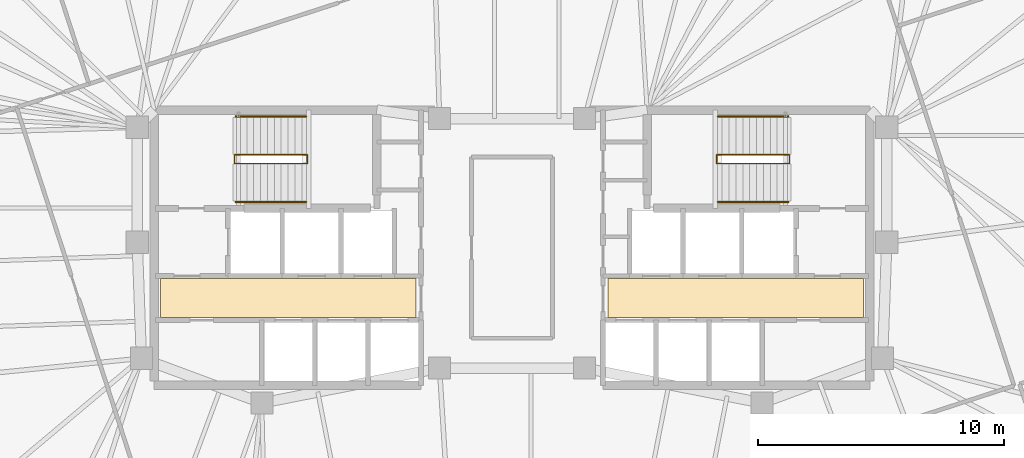
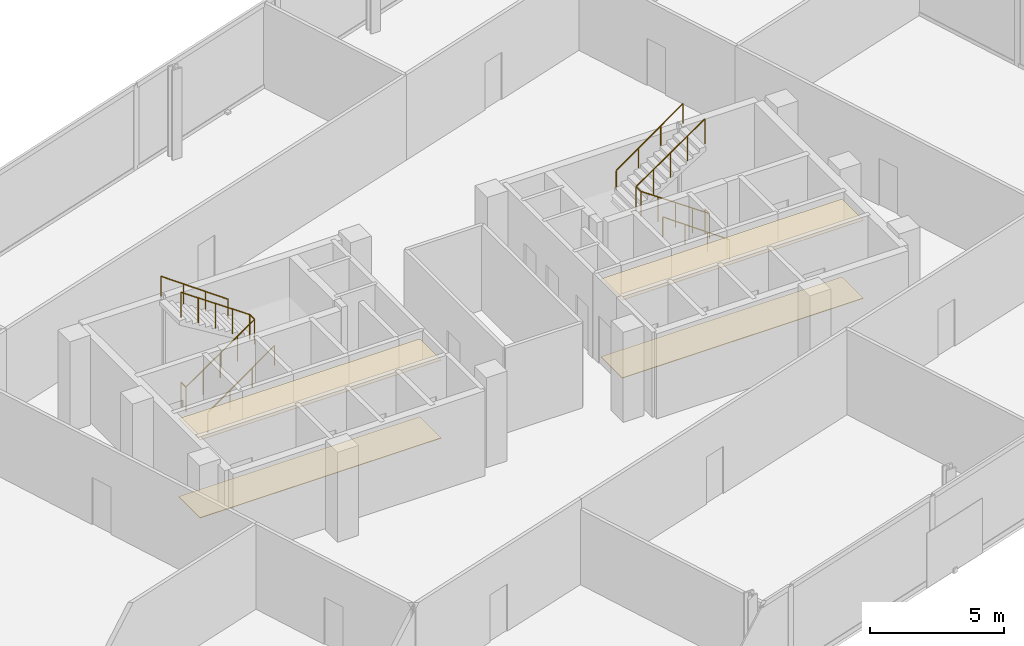
# One storey, part 14 of 14: 6 railings, 4 coverings.
"""IFC4 building model written with IfcOpenShell, lengths in metres."""

from ifc_helpers import new_model, si_unit, direction, frame, origin, origin_2d, place, context, subcontext, project, spatial, polyline, circle, outline, extrude, material, layer, layer_set, type_object, element, save


model = new_model("IFC4")

# Units and contexts
model_context = context("Model", 3, precision=1e-05, world=origin(), true_north=direction((0.0, 1.0)))
body_context = subcontext(model_context, "Body", "Model", "MODEL_VIEW")
ifc_project = project(units=[si_unit("LENGTHUNIT", "METRE"), si_unit("AREAUNIT", "SQUARE_METRE"), si_unit("VOLUMEUNIT", "CUBIC_METRE"), si_unit("PLANEANGLEUNIT", "RADIAN"), si_unit("MASSUNIT", "GRAM", prefix="KILO")], contexts=[model_context])

# Site, building, storey
site_placement = place(None, origin())
site = spatial("IfcSite", under=ifc_project, at=site_placement, CompositionType="ELEMENT")
building_placement = place(site_placement, origin())
building = spatial("IfcBuilding", under=site, at=building_placement, Name="Menara Jurai Vektor", CompositionType="ELEMENT")
storey_placement = place(building_placement, frame((0.0, 0.0, 206.800048828125)))
storey = spatial("IfcBuildingStorey", under=building, at=storey_placement, Name="L54", CompositionType="ELEMENT", Elevation=206.800048828125)

# Coverings
ifc_material_1 = material(Name="Mineral Fibre Acoustic Ceiling Tile", Category="gypsum")
ifc_layer_1 = layer(ifc_material_1, 0.02001953125)
ifc_layer_set_1 = layer_set([ifc_layer_1], Name="Mineral Fibre Acoustic Ceiling Tile")
covering_type_1 = type_object("IfcCoveringType", Name="COV-CEILING-ACOUSTIC", PredefinedType="CEILING", material=ifc_layer_set_1)
covering_1_placement = place(storey_placement, frame((0.0, 0.0, 3.554931640625)))
element("IfcCovering", 1, at=covering_1_placement, inside=storey, type_object=covering_type_1, Name="Acoustic Lift Lobby Ceiling W L54", PredefinedType="CEILING", context=body_context, shape_type="SweptSolid", body=[
    extrude(outline(polyline([(-14.300048828125, -2.85009765625), (-3.89990234375, -2.85009765625), (-3.89990234375, -1.25), (-14.300048828125, -1.25), (-14.300048828125, -2.85009765625)])), origin(), (0.0, 0.0, 1.0), 0.02001953125),
])
covering_2_placement = place(storey_placement, frame((0.0, 0.0, 3.554931640625)))
element("IfcCovering", 2, at=covering_2_placement, inside=storey, type_object=covering_type_1, Name="Acoustic Lift Lobby Ceiling E L54", PredefinedType="CEILING", context=body_context, shape_type="SweptSolid", body=[
    extrude(outline(polyline([(3.89990234375, -2.85009765625), (14.300048828125, -2.85009765625), (14.300048828125, -1.25), (3.89990234375, -1.25), (3.89990234375, -2.85009765625)])), origin(), (0.0, 0.0, 1.0), 0.02001953125),
])
ifc_material_2 = material(Name="Honed Granite Lobby Flooring", Category="masonry")
ifc_layer_2 = layer(ifc_material_2, 0.02490234375)
ifc_layer_set_2 = layer_set([ifc_layer_2], Name="Honed Granite Lobby Flooring")
covering_type_2 = type_object("IfcCoveringType", Name="COV-FLOOR-STONE", PredefinedType="FLOORING", material=ifc_layer_set_2)
covering_3_placement = place(storey_placement, origin())
element("IfcCovering", 3, at=covering_3_placement, inside=storey, type_object=covering_type_2, Name="Granite Lift Lobby Flooring W L54", PredefinedType="FLOORING", context=body_context, shape_type="SweptSolid", body=[
    extrude(outline(polyline([(-14.300048828125, -2.85009765625), (-3.89990234375, -2.85009765625), (-3.89990234375, -1.25), (-14.300048828125, -1.25), (-14.300048828125, -2.85009765625)])), origin(), (0.0, 0.0, 1.0), 0.02490234375),
])
covering_4_placement = place(storey_placement, origin())
element("IfcCovering", 4, at=covering_4_placement, inside=storey, type_object=covering_type_2, Name="Granite Lift Lobby Flooring E L54", PredefinedType="FLOORING", context=body_context, shape_type="SweptSolid", body=[
    extrude(outline(polyline([(3.89990234375, -2.85009765625), (14.300048828125, -2.85009765625), (14.300048828125, -1.25), (3.89990234375, -1.25), (3.89990234375, -2.85009765625)])), origin(), (0.0, 0.0, 1.0), 0.02490234375),
])

# Railings
ifc_material_3 = material(Name="Painted Galvanised Steel Balustrade", Category="steel")
railing_type_1 = type_object("IfcRailingType", Name="RAIL-STAIR-GUARD", PredefinedType="GUARDRAIL", material=ifc_material_3)
railing_1_placement = place(storey_placement, frame((-11.2900390625, 3.780029296875, 0.0)))
element("IfcRailing", 5, at=railing_1_placement, inside=storey, type_object=railing_type_1, Name="ST1 Stair Guardrail 1 L54", PredefinedType="GUARDRAIL", context=body_context, shape_type="SweptSolid", body=[
    extrude(circle(Radius=0.02392578125, at=origin_2d()), frame((0.0, 0.0, 1.1259765625), z_axis=(0.0, -1.0, 0.0), x_axis=(1.0, 0.0, 0.0)), (0.0, 0.0, 1.0), 0.360107421875),
    extrude(circle(Radius=0.02392578125, at=origin_2d()), frame((0.0, -0.360107421875, 1.1259765625), z_axis=(0.822082330295, 0.0, 0.569368634732), x_axis=(0.0, 1.0, 0.0)), (0.0, 0.0, 1.0), 3.6005859375),
    extrude(circle(Radius=0.02392578125, at=origin_2d()), frame((2.9599609375, -0.360107421875, 3.17578125), z_axis=(0.0, 1.0, 0.0), x_axis=(-1.0, 0.0, 0.0)), (0.0, 0.0, 1.0), 0.360107421875),
    extrude(circle(Radius=0.02392578125, at=origin_2d()), frame((2.9599609375, 0.0, 3.17578125), z_axis=(-0.822114068147, 0.0, 0.569322807338), x_axis=(0.0, -1.0, 0.0)), (0.0, 0.0, 1.0), 3.600341796875),
    extrude(circle(Radius=0.02099609375, at=origin_2d()), origin(), (0.0, 0.0, 1.0), 1.101806640625),
    extrude(circle(Radius=0.02099609375, at=origin_2d()), frame((0.0, -0.360107421875, 0.0)), (0.0, 0.0, 1.0), 1.101806640625),
    extrude(circle(Radius=0.02099609375, at=origin_2d()), frame((0.739990234375, -0.360107421875, 0.512451171875)), (0.0, 0.0, 1.0), 1.101806640625),
    extrude(circle(Radius=0.02099609375, at=origin_2d()), frame((1.47998046875, -0.360107421875, 1.02490234375)), (0.0, 0.0, 1.0), 1.101806640625),
    extrude(circle(Radius=0.02099609375, at=origin_2d()), frame((2.219970703125, -0.360107421875, 1.53759765625)), (0.0, 0.0, 1.0), 1.101806640625),
    extrude(circle(Radius=0.02099609375, at=origin_2d()), frame((2.9599609375, -0.360107421875, 2.050048828125)), (0.0, 0.0, 1.0), 1.101806640625),
    extrude(circle(Radius=0.02099609375, at=origin_2d()), frame((2.9599609375, 0.0, 2.050048828125)), (0.0, 0.0, 1.0), 1.101806640625),
    extrude(circle(Radius=0.02099609375, at=origin_2d()), frame((2.219970703125, 0.0, 2.5625)), (0.0, 0.0, 1.0), 1.101806640625),
    extrude(circle(Radius=0.02099609375, at=origin_2d()), frame((1.47998046875, 0.0, 3.074951171875)), (0.0, 0.0, 1.0), 1.101806640625),
    extrude(circle(Radius=0.02099609375, at=origin_2d()), frame((0.739990234375, 0.0, 3.58740234375)), (0.0, 0.0, 1.0), 1.101806640625),
    extrude(circle(Radius=0.02099609375, at=origin_2d()), frame((0.0, 0.0, 4.099853515625)), (0.0, 0.0, 1.0), 1.101806640625),
])
railing_2_placement = place(storey_placement, frame((11.2900390625, 3.780029296875, 0.0)))
element("IfcRailing", 6, at=railing_2_placement, inside=storey, type_object=railing_type_1, Name="ST2 Stair Guardrail 1 L54", PredefinedType="GUARDRAIL", context=body_context, shape_type="SweptSolid", body=[
    extrude(circle(Radius=0.02392578125, at=origin_2d()), frame((0.0, 0.0, 1.1259765625), z_axis=(0.0, -1.0, 0.0), x_axis=(1.0, 0.0, 0.0)), (0.0, 0.0, 1.0), 0.360107421875),
    extrude(circle(Radius=0.02392578125, at=origin_2d()), frame((0.0, -0.360107421875, 1.1259765625), z_axis=(-0.822082330295, 0.0, 0.569368634732), x_axis=(0.0, -1.0, 0.0)), (0.0, 0.0, 1.0), 3.6005859375),
    extrude(circle(Radius=0.02392578125, at=origin_2d()), frame((-2.9599609375, -0.360107421875, 3.17578125), z_axis=(0.0, 1.0, 0.0), x_axis=(-1.0, 0.0, 0.0)), (0.0, 0.0, 1.0), 0.360107421875),
    extrude(circle(Radius=0.02392578125, at=origin_2d()), frame((-2.9599609375, 0.0, 3.17578125), z_axis=(0.822114068147, 0.0, 0.569322807338), x_axis=(0.0, 1.0, 0.0)), (0.0, 0.0, 1.0), 3.600341796875),
    extrude(circle(Radius=0.02099609375, at=origin_2d()), origin(), (0.0, 0.0, 1.0), 1.101806640625),
    extrude(circle(Radius=0.02099609375, at=origin_2d()), frame((0.0, -0.360107421875, 0.0)), (0.0, 0.0, 1.0), 1.101806640625),
    extrude(circle(Radius=0.02099609375, at=origin_2d()), frame((-0.739990234375, -0.360107421875, 0.512451171875)), (0.0, 0.0, 1.0), 1.101806640625),
    extrude(circle(Radius=0.02099609375, at=origin_2d()), frame((-1.47998046875, -0.360107421875, 1.02490234375)), (0.0, 0.0, 1.0), 1.101806640625),
    extrude(circle(Radius=0.02099609375, at=origin_2d()), frame((-2.219970703125, -0.360107421875, 1.53759765625)), (0.0, 0.0, 1.0), 1.101806640625),
    extrude(circle(Radius=0.02099609375, at=origin_2d()), frame((-2.9599609375, -0.360107421875, 2.050048828125)), (0.0, 0.0, 1.0), 1.101806640625),
    extrude(circle(Radius=0.02099609375, at=origin_2d()), frame((-2.9599609375, 0.0, 2.050048828125)), (0.0, 0.0, 1.0), 1.101806640625),
    extrude(circle(Radius=0.02099609375, at=origin_2d()), frame((-2.219970703125, 0.0, 2.5625)), (0.0, 0.0, 1.0), 1.101806640625),
    extrude(circle(Radius=0.02099609375, at=origin_2d()), frame((-1.47998046875, 0.0, 3.074951171875)), (0.0, 0.0, 1.0), 1.101806640625),
    extrude(circle(Radius=0.02099609375, at=origin_2d()), frame((-0.739990234375, 0.0, 3.58740234375)), (0.0, 0.0, 1.0), 1.101806640625),
    extrude(circle(Radius=0.02099609375, at=origin_2d()), frame((0.0, 0.0, 4.099853515625)), (0.0, 0.0, 1.0), 1.101806640625),
])
ifc_material_4 = material(Name="Brushed Stainless Steel Handrail", Category="steel")
railing_type_2 = type_object("IfcRailingType", Name="RAIL-STAIR-HAND", PredefinedType="HANDRAIL", material=ifc_material_4)
railing_3_placement = place(storey_placement, frame((-11.25, 1.860107421875, 0.0)))
element("IfcRailing", 7, at=railing_3_placement, inside=storey, type_object=railing_type_2, Name="ST1 Stair Handrail 1 L54", PredefinedType="HANDRAIL", context=body_context, shape_type="SweptSolid", body=[
    extrude(circle(Radius=0.02392578125, at=origin_2d()), frame((0.0, 0.0, 0.89599609375), z_axis=(0.814670365599, 0.0, 0.579924301452), x_axis=(0.0, 1.0, 0.0)), (0.0, 0.0, 1.0), 3.534912109375),
    extrude(circle(Radius=0.02099609375, at=origin_2d()), origin(), (0.0, 0.0, 1.0), 0.871826171875),
    extrude(circle(Radius=0.02099609375, at=origin_2d()), frame((0.9599609375, 0.0, 0.683349609375)), (0.0, 0.0, 1.0), 0.871826171875),
    extrude(circle(Radius=0.02099609375, at=origin_2d()), frame((1.919921875, 0.0, 1.36669921875)), (0.0, 0.0, 1.0), 0.871826171875),
    extrude(circle(Radius=0.02099609375, at=origin_2d()), frame((2.8798828125, 0.0, 2.050048828125)), (0.0, 0.0, 1.0), 0.871826171875),
])
railing_4_placement = place(storey_placement, frame((-8.3701171875, 5.340087890625, 2.050048828125)))
element("IfcRailing", 8, at=railing_4_placement, inside=storey, type_object=railing_type_2, Name="ST1 Stair Handrail 2 L54", PredefinedType="HANDRAIL", context=body_context, shape_type="SweptSolid", body=[
    extrude(circle(Radius=0.02392578125, at=origin_2d()), frame((0.0, 0.0, 0.89599609375), z_axis=(-0.814702994362, 0.0, 0.579878462247), x_axis=(0.0, -1.0, 0.0)), (0.0, 0.0, 1.0), 3.534912109375),
    extrude(circle(Radius=0.02099609375, at=origin_2d()), origin(), (0.0, 0.0, 1.0), 0.871826171875),
    extrude(circle(Radius=0.02099609375, at=origin_2d()), frame((-0.9599609375, 0.0, 0.683349609375)), (0.0, 0.0, 1.0), 0.871826171875),
    extrude(circle(Radius=0.02099609375, at=origin_2d()), frame((-1.919921875, 0.0, 1.366455078125)), (0.0, 0.0, 1.0), 0.871826171875),
    extrude(circle(Radius=0.02099609375, at=origin_2d()), frame((-2.8798828125, 0.0, 2.0498046875)), (0.0, 0.0, 1.0), 0.871826171875),
])
railing_5_placement = place(storey_placement, frame((11.25, 1.860107421875, 0.0)))
element("IfcRailing", 9, at=railing_5_placement, inside=storey, type_object=railing_type_2, Name="ST2 Stair Handrail 1 L54", PredefinedType="HANDRAIL", context=body_context, shape_type="SweptSolid", body=[
    extrude(circle(Radius=0.02392578125, at=origin_2d()), frame((0.0, 0.0, 0.89599609375), z_axis=(-0.814670365599, 0.0, 0.579924301452), x_axis=(0.0, -1.0, 0.0)), (0.0, 0.0, 1.0), 3.534912109375),
    extrude(circle(Radius=0.02099609375, at=origin_2d()), origin(), (0.0, 0.0, 1.0), 0.871826171875),
    extrude(circle(Radius=0.02099609375, at=origin_2d()), frame((-0.9599609375, 0.0, 0.683349609375)), (0.0, 0.0, 1.0), 0.871826171875),
    extrude(circle(Radius=0.02099609375, at=origin_2d()), frame((-1.919921875, 0.0, 1.36669921875)), (0.0, 0.0, 1.0), 0.871826171875),
    extrude(circle(Radius=0.02099609375, at=origin_2d()), frame((-2.8798828125, 0.0, 2.050048828125)), (0.0, 0.0, 1.0), 0.871826171875),
])
railing_6_placement = place(storey_placement, frame((8.3701171875, 5.340087890625, 2.050048828125)))
element("IfcRailing", 10, at=railing_6_placement, inside=storey, type_object=railing_type_2, Name="ST2 Stair Handrail 2 L54", PredefinedType="HANDRAIL", context=body_context, shape_type="SweptSolid", body=[
    extrude(circle(Radius=0.02392578125, at=origin_2d()), frame((0.0, 0.0, 0.89599609375), z_axis=(0.814702994362, 0.0, 0.579878462247), x_axis=(0.0, 1.0, 0.0)), (0.0, 0.0, 1.0), 3.534912109375),
    extrude(circle(Radius=0.02099609375, at=origin_2d()), origin(), (0.0, 0.0, 1.0), 0.871826171875),
    extrude(circle(Radius=0.02099609375, at=origin_2d()), frame((0.9599609375, 0.0, 0.683349609375)), (0.0, 0.0, 1.0), 0.871826171875),
    extrude(circle(Radius=0.02099609375, at=origin_2d()), frame((1.919921875, 0.0, 1.366455078125)), (0.0, 0.0, 1.0), 0.871826171875),
    extrude(circle(Radius=0.02099609375, at=origin_2d()), frame((2.8798828125, 0.0, 2.0498046875)), (0.0, 0.0, 1.0), 0.871826171875),
])

save(model, "model.ifc")
